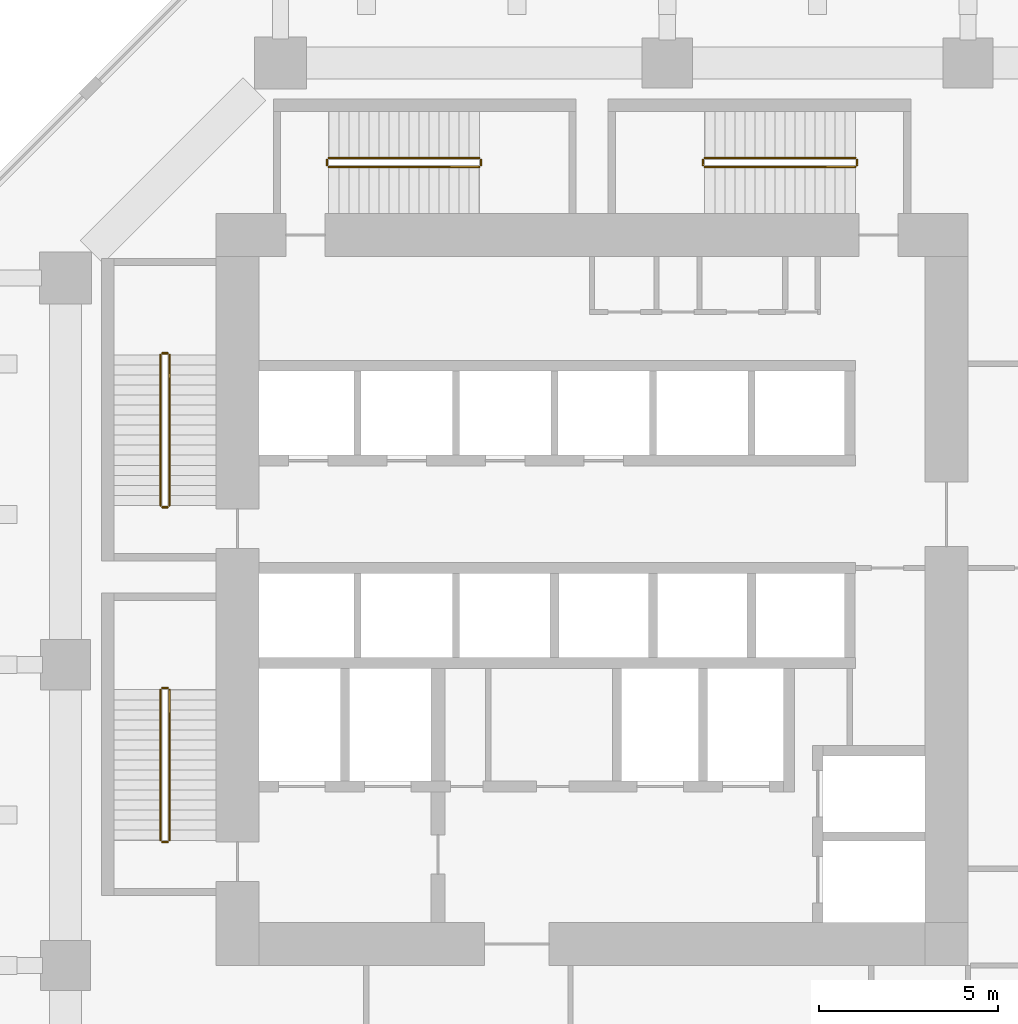
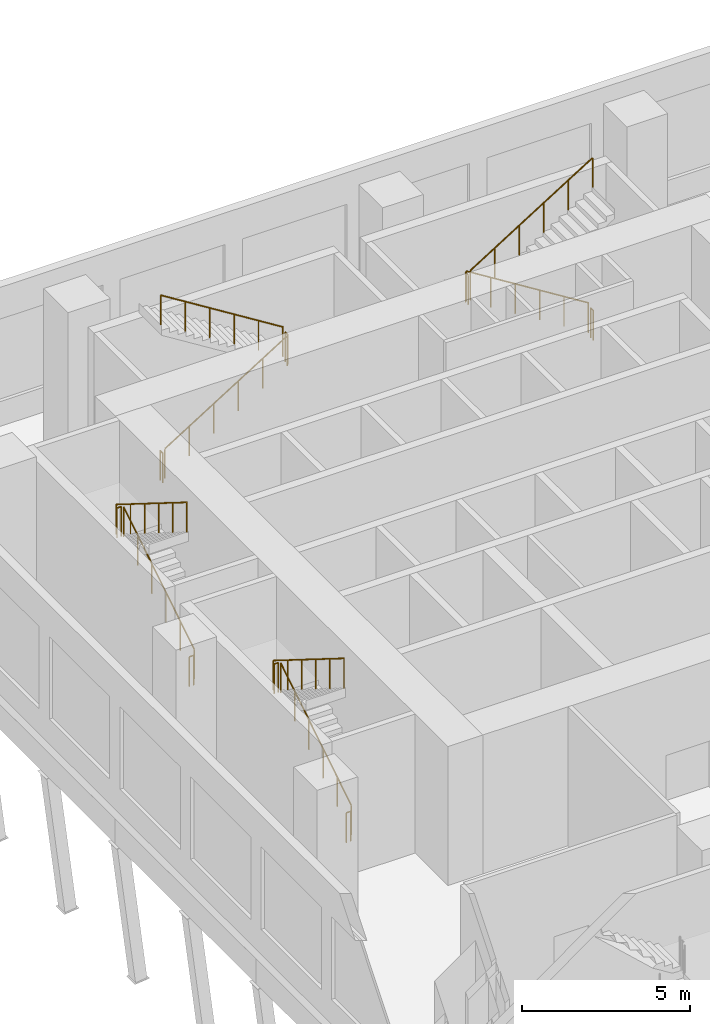
# One storey, part 21 of 24: 16 railings.
"""IFC4 building model written with IfcOpenShell, lengths in metres."""

import ifcopenshell
import ifcopenshell.guid

model = None  # the IFC model being written
_history = None  # IfcOwnerHistory: only IFC2X3 demands one
_inside = {}  # id of a spatial element -> (the spatial element, [elements in it])
_under = {}  # id of a project, library or spatial element -> (it, [spatial elements below it])
_declared = {}  # id of a project -> (the project, [libraries it declares])
_typed = {}  # id of a type object -> (the type object, [elements of that type])
_made_of = {}  # id of a material, layer set ... -> (it, [elements and type objects made of it])


def new_model(schema):
    """Start an empty IFC model of exactly this schema.

    Asked for "IFC4X3", IfcOpenShell would pick the latest addendum, in which some entities
    have other attributes; the version numbers below select the first issue.
    IFC2X3 requires an IfcOwnerHistory on every rooted entity: one is made here for all.
    """
    global model, _history
    if schema == "IFC4X3":
        model = ifcopenshell.file(schema_version=(4, 3, 0, 0))
    else:
        model = ifcopenshell.file(schema=schema)
    _inside.clear()
    _under.clear()
    _declared.clear()
    _typed.clear()
    _made_of.clear()
    _history = None
    if model.schema == "IFC2X3":
        org = make("IfcOrganization", Name="unknown")
        user = make(
            "IfcPersonAndOrganization",
            ThePerson=make("IfcPerson", FamilyName="unknown"),
            TheOrganization=org,
        )
        app = make(
            "IfcApplication",
            ApplicationDeveloper=org,
            Version="unknown",
            ApplicationFullName="unknown",
            ApplicationIdentifier="unknown",
        )
        _history = make(
            "IfcOwnerHistory",
            OwningUser=user,
            OwningApplication=app,
            ChangeAction="ADDED",
            CreationDate=0,
        )
    return model


def make(cls, **values):
    """One entity of the class cls with the attributes given. An attribute that is None is left unset."""
    return model.create_entity(
        cls, **{name: value for name, value in values.items() if value is not None}
    )


def rooted(cls, **values):
    """An entity with a GlobalId (a new one), such as an element, a storey or a relation."""
    return make(cls, GlobalId=ifcopenshell.guid.new(), OwnerHistory=_history, **values)


def si_unit(unit_type, name, prefix=None):
    """IfcSIUnit, for example si_unit("LENGTHUNIT", "METRE", prefix="MILLI")."""
    return make("IfcSIUnit", UnitType=unit_type, Prefix=prefix, Name=name)


def assignment(units):
    """IfcUnitAssignment: the units of a project."""
    return None if units is None else make("IfcUnitAssignment", Units=units)


def point(xyz):
    """IfcCartesianPoint."""
    return None if xyz is None else make("IfcCartesianPoint", Coordinates=xyz)


def direction(xyz):
    """IfcDirection."""
    return None if xyz is None else make("IfcDirection", DirectionRatios=xyz)


def frame(location, z_axis=None, x_axis=None):
    """IfcAxis2Placement3D, a coordinate frame: its origin and axes. An axis left out is left unset."""
    return make(
        "IfcAxis2Placement3D",
        Location=point(location),
        Axis=direction(z_axis),
        RefDirection=direction(x_axis),
    )


def frame_2d(location, x_axis=None):
    """IfcAxis2Placement2D, a coordinate frame in the plane: its origin and x axis."""
    return make(
        "IfcAxis2Placement2D", Location=point(location), RefDirection=direction(x_axis)
    )


def origin():
    """The frame at (0, 0, 0) with its axes left unset."""
    return frame((0.0, 0.0, 0.0))


def origin_2d():
    """The frame at (0, 0) in the plane with its x axis left unset."""
    return frame_2d((0.0, 0.0))


def place(relative_to, where):
    """IfcLocalPlacement: puts the frame where relative to a parent placement (None: the world)."""
    return make(
        "IfcLocalPlacement", PlacementRelTo=relative_to, RelativePlacement=where
    )


def context(
    kind, dimensions, precision=None, world=None, true_north=None, identifier=None
):
    """IfcGeometricRepresentationContext, for example the 3D "Model" context."""
    return make(
        "IfcGeometricRepresentationContext",
        ContextIdentifier=identifier,
        ContextType=kind,
        CoordinateSpaceDimension=dimensions,
        Precision=precision,
        WorldCoordinateSystem=world,
        TrueNorth=true_north,
    )


def subcontext(parent, identifier, kind, view, scale=None):
    """IfcGeometricRepresentationSubContext, for example "Body" below "Model"."""
    return make(
        "IfcGeometricRepresentationSubContext",
        ContextIdentifier=identifier,
        ContextType=kind,
        ParentContext=parent,
        TargetScale=scale,
        TargetView=view,
    )


def project(units=None, contexts=None):
    """IfcProject with its units and contexts."""
    return rooted(
        "IfcProject",
        Name="project",
        RepresentationContexts=contexts,
        UnitsInContext=assignment(units),
    )


def spatial(cls, under=None, at=None, **own):
    """A site, building, storey or space (cls), placed at a placement, below another one or the project."""
    s = rooted(cls, ObjectPlacement=at, **own)
    if under is not None:
        _under.setdefault(under.id(), (under, []))[1].append(s)
    return s


def profile(cls, at=None, kind="AREA", **sizes):
    """A parametric profile (cls). Its sizes go by their IFC names, for example OverallWidth=200.0."""
    return make(cls, ProfileType=kind, Position=at, **sizes)


def circle(**sizes):
    """IfcCircleProfileDef."""
    return profile("IfcCircleProfileDef", **sizes)


def extrude(swept, where, along, depth):
    """IfcExtrudedAreaSolid: the profile swept, set in the frame where, extruded along a direction by depth."""
    return make(
        "IfcExtrudedAreaSolid",
        SweptArea=swept,
        Position=where,
        ExtrudedDirection=direction(along),
        Depth=depth,
    )


def shape(context_of_items, identifier, shape_type, items):
    """IfcShapeRepresentation: the items that make up one representation, for example the "Body"."""
    return make(
        "IfcShapeRepresentation",
        ContextOfItems=context_of_items,
        RepresentationIdentifier=identifier,
        RepresentationType=shape_type,
        Items=items,
    )


def material(Name=None, Category=None):
    """IfcMaterial."""
    return make("IfcMaterial", Name=Name, Category=Category)


def made_of(thing, what):
    """Note that an element or type object is made of a material, layer set ...; save() writes the relation."""
    if what is not None:
        _made_of.setdefault(what.id(), (what, []))[1].append(thing)
    return thing


def type_object(cls, material=None, **own):
    """A type object (cls), such as IfcWallType, which elements share."""
    return made_of(rooted(cls, **own), material)


def element(
    cls,
    number,
    at=None,
    inside=None,
    cuts=None,
    type_object=None,
    material=None,
    context=None,
    identifier="Body",
    shape_type=None,
    held_by="IfcProductDefinitionShape",
    body=None,
    shapes=None,
    **own,
):
    """One element of the class cls, such as IfcWall. Its Tag is "e" and its number.

    at: its placement. inside: the storey or other place that contains it. cuts: it is an
    opening in that element (IfcRelVoidsElement). A single representation is given by context,
    identifier, shape_type and body (its items); several are given by shapes. held_by: the class
    of the entity that holds the representations. save() writes the other relations.
    """
    e = rooted(cls, Tag="e%d" % number, ObjectPlacement=at, **own)
    if body is not None:
        shapes = [shape(context, identifier, shape_type, body)]
    if shapes is not None:
        e.Representation = make(held_by, Representations=shapes)
    if inside is not None:
        _inside.setdefault(inside.id(), (inside, []))[1].append(e)
    if cuts is not None:
        rooted(
            "IfcRelVoidsElement", RelatingBuildingElement=cuts, RelatedOpeningElement=e
        )
    if type_object is not None:
        _typed.setdefault(type_object.id(), (type_object, []))[1].append(e)
    return made_of(e, material)


def aggregate(whole, parts):
    """IfcRelAggregates: a whole, such as a stair, and the parts it consists of."""
    return rooted("IfcRelAggregates", RelatingObject=whole, RelatedObjects=parts)


def save(model, path):
    """Write the relations noted so far, then the file.

    IfcRelAggregates (storeys below a building ...), IfcRelContainedInSpatialStructure (elements
    in a storey), IfcRelDefinesByType, IfcRelAssociatesMaterial and IfcRelDeclares: one each for
    every whole, place, type object, material and project.
    """
    for whole, parts in _under.values():
        aggregate(whole, parts)
    for where, things in _inside.values():
        rooted(
            "IfcRelContainedInSpatialStructure",
            RelatedElements=things,
            RelatingStructure=where,
        )
    for kind, things in _typed.values():
        rooted("IfcRelDefinesByType", RelatedObjects=things, RelatingType=kind)
    for what, things in _made_of.values():
        rooted("IfcRelAssociatesMaterial", RelatedObjects=things, RelatingMaterial=what)
    for by, libraries in _declared.values():
        rooted("IfcRelDeclares", RelatingContext=by, RelatedDefinitions=libraries)
    model.write(path)


model = new_model("IFC4")

# Units and contexts
model_context = context("Model", 3, precision=1e-05, world=origin(), true_north=direction((0.0, 1.0)))
body_context = subcontext(model_context, "Body", "Model", "MODEL_VIEW")
ifc_project = project(units=[si_unit("LENGTHUNIT", "METRE"), si_unit("AREAUNIT", "SQUARE_METRE"), si_unit("VOLUMEUNIT", "CUBIC_METRE"), si_unit("PLANEANGLEUNIT", "RADIAN"), si_unit("MASSUNIT", "GRAM", prefix="KILO")], contexts=[model_context])

# Site, building, storey
site_placement = place(None, origin())
site = spatial("IfcSite", under=ifc_project, at=site_placement, CompositionType="ELEMENT")
building_placement = place(site_placement, origin())
building = spatial("IfcBuilding", under=site, at=building_placement, Name="Kawkab Arch Medical Tower", CompositionType="ELEMENT")
storey_placement = place(building_placement, frame((0.0, 0.0, 18.199951171875)))
storey = spatial("IfcBuildingStorey", under=building, at=storey_placement, Name="L04", CompositionType="ELEMENT", Elevation=18.199951171875)

# Railings
ifc_material = material(Name="Stainless steel", Category="steel")
railing_type = type_object("IfcRailingType", Name="Stair guard 1100", PredefinedType="GUARDRAIL", material=ifc_material)
railing_1_placement = place(storey_placement, frame((2.89990234375, -12.35009765625, 0.175048828125)))
element("IfcRailing", 1, at=railing_1_placement, inside=storey, type_object=railing_type, Name="L04 ST1 stair guard 1", PredefinedType="GUARDRAIL", context=body_context, shape_type="SweptSolid", body=[
    extrude(circle(Radius=0.02392578125, at=origin_2d()), frame((0.0, 0.0, 1.076171875), z_axis=(0.0, 0.848009380541, 0.529981217134), x_axis=(-1.0, 0.0, 0.0)), (0.0, 0.0, 1.0), 4.953125),
    extrude(circle(Radius=0.02099609375, at=origin_2d()), origin(), (0.0, 0.0, 1.0), 1.052001953125),
    extrude(circle(Radius=0.02099609375, at=origin_2d()), frame((0.0, 0.840087890625, 0.52490234375)), (0.0, 0.0, 1.0), 1.052001953125),
    extrude(circle(Radius=0.02099609375, at=origin_2d()), frame((0.0, 1.68017578125, 1.050048828125)), (0.0, 0.0, 1.0), 1.052001953125),
    extrude(circle(Radius=0.02099609375, at=origin_2d()), frame((0.0, 2.52001953125, 1.574951171875)), (0.0, 0.0, 1.0), 1.052001953125),
    extrude(circle(Radius=0.02099609375, at=origin_2d()), frame((0.0, 3.360107421875, 2.10009765625)), (0.0, 0.0, 1.0), 1.052001953125),
    extrude(circle(Radius=0.02099609375, at=origin_2d()), frame((0.0, 4.2001953125, 2.625)), (0.0, 0.0, 1.0), 1.052001953125),
])
railing_2_placement = place(storey_placement, frame((2.85009765625, -8.10009765625, 2.800048828125)))
element("IfcRailing", 2, at=railing_2_placement, inside=storey, type_object=railing_type, Name="L04 ST1 stair guard 2", PredefinedType="GUARDRAIL", context=body_context, shape_type="SweptSolid", body=[
    extrude(circle(Radius=0.02392578125, at=origin_2d()), frame((0.0, 0.0, 1.076171875), z_axis=(-1.0, 0.0, 0.0), x_axis=(0.0, -1.0, 0.0)), (0.0, 0.0, 1.0), 0.150146484375),
    extrude(circle(Radius=0.02099609375, at=origin_2d()), origin(), (0.0, 0.0, 1.0), 1.052001953125),
    extrude(circle(Radius=0.02099609375, at=origin_2d()), frame((-0.150146484375, 0.0, 0.0)), (0.0, 0.0, 1.0), 1.052001953125),
])
railing_3_placement = place(storey_placement, frame((2.64990234375, -8.14990234375, 2.97509765625)))
element("IfcRailing", 3, at=railing_3_placement, inside=storey, type_object=railing_type, Name="L04 ST1 stair guard 3", PredefinedType="GUARDRAIL", context=body_context, shape_type="SweptSolid", body=[
    extrude(circle(Radius=0.02392578125, at=origin_2d()), frame((0.0, 0.0, 1.076171875), z_axis=(0.0, -0.848009380541, 0.529981217134), x_axis=(1.0, 0.0, 0.0)), (0.0, 0.0, 1.0), 4.953125),
    extrude(circle(Radius=0.02099609375, at=origin_2d()), origin(), (0.0, 0.0, 1.0), 1.052001953125),
    extrude(circle(Radius=0.02099609375, at=origin_2d()), frame((0.0, -0.840087890625, 0.52490234375)), (0.0, 0.0, 1.0), 1.052001953125),
    extrude(circle(Radius=0.02099609375, at=origin_2d()), frame((0.0, -1.68017578125, 1.050048828125)), (0.0, 0.0, 1.0), 1.052001953125),
    extrude(circle(Radius=0.02099609375, at=origin_2d()), frame((0.0, -2.52001953125, 1.574951171875)), (0.0, 0.0, 1.0), 1.052001953125),
    extrude(circle(Radius=0.02099609375, at=origin_2d()), frame((0.0, -3.360107421875, 2.10009765625)), (0.0, 0.0, 1.0), 1.052001953125),
    extrude(circle(Radius=0.02099609375, at=origin_2d()), frame((0.0, -4.2001953125, 2.625)), (0.0, 0.0, 1.0), 1.052001953125),
])
railing_4_placement = place(storey_placement, frame((2.85009765625, -12.39990234375, 0.0)))
element("IfcRailing", 4, at=railing_4_placement, inside=storey, type_object=railing_type, Name="L04 ST1 stair guard 4", PredefinedType="GUARDRAIL", context=body_context, shape_type="SweptSolid", body=[
    extrude(circle(Radius=0.02392578125, at=origin_2d()), frame((0.0, 0.0, 1.076171875), z_axis=(-1.0, 0.0, 0.0), x_axis=(0.0, -1.0, 0.0)), (0.0, 0.0, 1.0), 0.150146484375),
    extrude(circle(Radius=0.02099609375, at=origin_2d()), origin(), (0.0, 0.0, 1.0), 1.052001953125),
    extrude(circle(Radius=0.02099609375, at=origin_2d()), frame((-0.150146484375, 0.0, 0.0)), (0.0, 0.0, 1.0), 1.052001953125),
])
railing_5_placement = place(storey_placement, frame((2.89990234375, -21.699951171875, 0.175048828125)))
element("IfcRailing", 5, at=railing_5_placement, inside=storey, type_object=railing_type, Name="L04 ST2 stair guard 1", PredefinedType="GUARDRAIL", context=body_context, shape_type="SweptSolid", body=[
    extrude(circle(Radius=0.02392578125, at=origin_2d()), frame((0.0, 0.0, 1.076171875), z_axis=(0.0, 0.847995534698, 0.530003370869), x_axis=(-1.0, 0.0, 0.0)), (0.0, 0.0, 1.0), 4.952880859375),
    extrude(circle(Radius=0.02099609375, at=origin_2d()), origin(), (0.0, 0.0, 1.0), 1.052001953125),
    extrude(circle(Radius=0.02099609375, at=origin_2d()), frame((0.0, 0.840087890625, 0.52490234375)), (0.0, 0.0, 1.0), 1.052001953125),
    extrude(circle(Radius=0.02099609375, at=origin_2d()), frame((0.0, 1.679931640625, 1.050048828125)), (0.0, 0.0, 1.0), 1.052001953125),
    extrude(circle(Radius=0.02099609375, at=origin_2d()), frame((0.0, 2.52001953125, 1.574951171875)), (0.0, 0.0, 1.0), 1.052001953125),
    extrude(circle(Radius=0.02099609375, at=origin_2d()), frame((0.0, 3.35986328125, 2.10009765625)), (0.0, 0.0, 1.0), 1.052001953125),
    extrude(circle(Radius=0.02099609375, at=origin_2d()), frame((0.0, 4.199951171875, 2.625)), (0.0, 0.0, 1.0), 1.052001953125),
])
railing_6_placement = place(storey_placement, frame((2.85009765625, -17.449951171875, 2.800048828125)))
element("IfcRailing", 6, at=railing_6_placement, inside=storey, type_object=railing_type, Name="L04 ST2 stair guard 2", PredefinedType="GUARDRAIL", context=body_context, shape_type="SweptSolid", body=[
    extrude(circle(Radius=0.02392578125, at=origin_2d()), frame((0.0, 0.0, 1.076171875), z_axis=(-1.0, 0.0, 0.0), x_axis=(0.0, -1.0, 0.0)), (0.0, 0.0, 1.0), 0.150146484375),
    extrude(circle(Radius=0.02099609375, at=origin_2d()), origin(), (0.0, 0.0, 1.0), 1.052001953125),
    extrude(circle(Radius=0.02099609375, at=origin_2d()), frame((-0.150146484375, 0.0, 0.0)), (0.0, 0.0, 1.0), 1.052001953125),
])
railing_7_placement = place(storey_placement, frame((2.64990234375, -17.5, 2.97509765625)))
element("IfcRailing", 7, at=railing_7_placement, inside=storey, type_object=railing_type, Name="L04 ST2 stair guard 3", PredefinedType="GUARDRAIL", context=body_context, shape_type="SweptSolid", body=[
    extrude(circle(Radius=0.02392578125, at=origin_2d()), frame((0.0, 0.0, 1.076171875), z_axis=(0.0, -0.847995534698, 0.530003370869), x_axis=(1.0, 0.0, 0.0)), (0.0, 0.0, 1.0), 4.952880859375),
    extrude(circle(Radius=0.02099609375, at=origin_2d()), origin(), (0.0, 0.0, 1.0), 1.052001953125),
    extrude(circle(Radius=0.02099609375, at=origin_2d()), frame((0.0, -0.840087890625, 0.52490234375)), (0.0, 0.0, 1.0), 1.052001953125),
    extrude(circle(Radius=0.02099609375, at=origin_2d()), frame((0.0, -1.679931640625, 1.050048828125)), (0.0, 0.0, 1.0), 1.052001953125),
    extrude(circle(Radius=0.02099609375, at=origin_2d()), frame((0.0, -2.52001953125, 1.574951171875)), (0.0, 0.0, 1.0), 1.052001953125),
    extrude(circle(Radius=0.02099609375, at=origin_2d()), frame((0.0, -3.35986328125, 2.10009765625)), (0.0, 0.0, 1.0), 1.052001953125),
    extrude(circle(Radius=0.02099609375, at=origin_2d()), frame((0.0, -4.199951171875, 2.625)), (0.0, 0.0, 1.0), 1.052001953125),
])
railing_8_placement = place(storey_placement, frame((2.85009765625, -21.75, 0.0)))
element("IfcRailing", 8, at=railing_8_placement, inside=storey, type_object=railing_type, Name="L04 ST2 stair guard 4", PredefinedType="GUARDRAIL", context=body_context, shape_type="SweptSolid", body=[
    extrude(circle(Radius=0.02392578125, at=origin_2d()), frame((0.0, 0.0, 1.076171875), z_axis=(-1.0, 0.0, 0.0), x_axis=(0.0, -1.0, 0.0)), (0.0, 0.0, 1.0), 0.150146484375),
    extrude(circle(Radius=0.02099609375, at=origin_2d()), origin(), (0.0, 0.0, 1.0), 1.052001953125),
    extrude(circle(Radius=0.02099609375, at=origin_2d()), frame((-0.150146484375, 0.0, 0.0)), (0.0, 0.0, 1.0), 1.052001953125),
])
railing_9_placement = place(storey_placement, frame((7.35009765625, -2.89990234375, 0.175048828125)))
element("IfcRailing", 9, at=railing_9_placement, inside=storey, type_object=railing_type, Name="L04 ST3 stair guard 1", PredefinedType="GUARDRAIL", context=body_context, shape_type="SweptSolid", body=[
    extrude(circle(Radius=0.02392578125, at=origin_2d()), frame((0.0, 0.0, 1.076171875), z_axis=(0.847995534698, 0.0, 0.530003370869), x_axis=(0.0, 1.0, 0.0)), (0.0, 0.0, 1.0), 4.952880859375),
    extrude(circle(Radius=0.02099609375, at=origin_2d()), origin(), (0.0, 0.0, 1.0), 1.052001953125),
    extrude(circle(Radius=0.02099609375, at=origin_2d()), frame((0.840087890625, 0.0, 0.52490234375)), (0.0, 0.0, 1.0), 1.052001953125),
    extrude(circle(Radius=0.02099609375, at=origin_2d()), frame((1.679931640625, 0.0, 1.050048828125)), (0.0, 0.0, 1.0), 1.052001953125),
    extrude(circle(Radius=0.02099609375, at=origin_2d()), frame((2.52001953125, 0.0, 1.574951171875)), (0.0, 0.0, 1.0), 1.052001953125),
    extrude(circle(Radius=0.02099609375, at=origin_2d()), frame((3.35986328125, 0.0, 2.10009765625)), (0.0, 0.0, 1.0), 1.052001953125),
    extrude(circle(Radius=0.02099609375, at=origin_2d()), frame((4.199951171875, 0.0, 2.625)), (0.0, 0.0, 1.0), 1.052001953125),
])
railing_10_placement = place(storey_placement, frame((11.60009765625, -2.85009765625, 2.800048828125)))
element("IfcRailing", 10, at=railing_10_placement, inside=storey, type_object=railing_type, Name="L04 ST3 stair guard 2", PredefinedType="GUARDRAIL", context=body_context, shape_type="SweptSolid", body=[
    extrude(circle(Radius=0.02392578125, at=origin_2d()), frame((0.0, 0.0, 1.076171875), z_axis=(0.0, 1.0, 0.0), x_axis=(-1.0, 0.0, 0.0)), (0.0, 0.0, 1.0), 0.150146484375),
    extrude(circle(Radius=0.02099609375, at=origin_2d()), origin(), (0.0, 0.0, 1.0), 1.052001953125),
    extrude(circle(Radius=0.02099609375, at=origin_2d()), frame((0.0, 0.150146484375, 0.0)), (0.0, 0.0, 1.0), 1.052001953125),
])
railing_11_placement = place(storey_placement, frame((11.550048828125, -2.64990234375, 2.97509765625)))
element("IfcRailing", 11, at=railing_11_placement, inside=storey, type_object=railing_type, Name="L04 ST3 stair guard 3", PredefinedType="GUARDRAIL", context=body_context, shape_type="SweptSolid", body=[
    extrude(circle(Radius=0.02392578125, at=origin_2d()), frame((0.0, 0.0, 1.076171875), z_axis=(-0.847995534698, 0.0, 0.530003370869), x_axis=(0.0, -1.0, 0.0)), (0.0, 0.0, 1.0), 4.952880859375),
    extrude(circle(Radius=0.02099609375, at=origin_2d()), origin(), (0.0, 0.0, 1.0), 1.052001953125),
    extrude(circle(Radius=0.02099609375, at=origin_2d()), frame((-0.840087890625, 0.0, 0.52490234375)), (0.0, 0.0, 1.0), 1.052001953125),
    extrude(circle(Radius=0.02099609375, at=origin_2d()), frame((-1.679931640625, 0.0, 1.050048828125)), (0.0, 0.0, 1.0), 1.052001953125),
    extrude(circle(Radius=0.02099609375, at=origin_2d()), frame((-2.52001953125, 0.0, 1.574951171875)), (0.0, 0.0, 1.0), 1.052001953125),
    extrude(circle(Radius=0.02099609375, at=origin_2d()), frame((-3.35986328125, 0.0, 2.10009765625)), (0.0, 0.0, 1.0), 1.052001953125),
    extrude(circle(Radius=0.02099609375, at=origin_2d()), frame((-4.199951171875, 0.0, 2.625)), (0.0, 0.0, 1.0), 1.052001953125),
])
railing_12_placement = place(storey_placement, frame((7.300048828125, -2.85009765625, 0.0)))
element("IfcRailing", 12, at=railing_12_placement, inside=storey, type_object=railing_type, Name="L04 ST3 stair guard 4", PredefinedType="GUARDRAIL", context=body_context, shape_type="SweptSolid", body=[
    extrude(circle(Radius=0.02392578125, at=origin_2d()), frame((0.0, 0.0, 1.076171875), z_axis=(0.0, 1.0, 0.0), x_axis=(-1.0, 0.0, 0.0)), (0.0, 0.0, 1.0), 0.150146484375),
    extrude(circle(Radius=0.02099609375, at=origin_2d()), origin(), (0.0, 0.0, 1.0), 1.052001953125),
    extrude(circle(Radius=0.02099609375, at=origin_2d()), frame((0.0, 0.150146484375, 0.0)), (0.0, 0.0, 1.0), 1.052001953125),
])
railing_13_placement = place(storey_placement, frame((22.050048828125, -2.64990234375, 0.175048828125)))
element("IfcRailing", 13, at=railing_13_placement, inside=storey, type_object=railing_type, Name="L04 ST4 stair guard 1", PredefinedType="GUARDRAIL", context=body_context, shape_type="SweptSolid", body=[
    extrude(circle(Radius=0.02392578125, at=origin_2d()), frame((0.0, 0.0, 1.076171875), z_axis=(-0.847995534698, 0.0, 0.530003370869), x_axis=(0.0, -1.0, 0.0)), (0.0, 0.0, 1.0), 4.952880859375),
    extrude(circle(Radius=0.02099609375, at=origin_2d()), origin(), (0.0, 0.0, 1.0), 1.052001953125),
    extrude(circle(Radius=0.02099609375, at=origin_2d()), frame((-0.840087890625, 0.0, 0.52490234375)), (0.0, 0.0, 1.0), 1.052001953125),
    extrude(circle(Radius=0.02099609375, at=origin_2d()), frame((-1.679931640625, 0.0, 1.050048828125)), (0.0, 0.0, 1.0), 1.052001953125),
    extrude(circle(Radius=0.02099609375, at=origin_2d()), frame((-2.52001953125, 0.0, 1.574951171875)), (0.0, 0.0, 1.0), 1.052001953125),
    extrude(circle(Radius=0.02099609375, at=origin_2d()), frame((-3.35986328125, 0.0, 2.10009765625)), (0.0, 0.0, 1.0), 1.052001953125),
    extrude(circle(Radius=0.02099609375, at=origin_2d()), frame((-4.199951171875, 0.0, 2.625)), (0.0, 0.0, 1.0), 1.052001953125),
])
railing_14_placement = place(storey_placement, frame((17.800048828125, -2.699951171875, 2.800048828125)))
element("IfcRailing", 14, at=railing_14_placement, inside=storey, type_object=railing_type, Name="L04 ST4 stair guard 2", PredefinedType="GUARDRAIL", context=body_context, shape_type="SweptSolid", body=[
    extrude(circle(Radius=0.02392578125, at=origin_2d()), frame((0.0, 0.0, 1.076171875), z_axis=(0.0, -1.0, 0.0), x_axis=(1.0, 0.0, 0.0)), (0.0, 0.0, 1.0), 0.150146484375),
    extrude(circle(Radius=0.02099609375, at=origin_2d()), origin(), (0.0, 0.0, 1.0), 1.052001953125),
    extrude(circle(Radius=0.02099609375, at=origin_2d()), frame((0.0, -0.150146484375, 0.0)), (0.0, 0.0, 1.0), 1.052001953125),
])
railing_15_placement = place(storey_placement, frame((17.85009765625, -2.89990234375, 2.97509765625)))
element("IfcRailing", 15, at=railing_15_placement, inside=storey, type_object=railing_type, Name="L04 ST4 stair guard 3", PredefinedType="GUARDRAIL", context=body_context, shape_type="SweptSolid", body=[
    extrude(circle(Radius=0.02392578125, at=origin_2d()), frame((0.0, 0.0, 1.076171875), z_axis=(0.847995534698, 0.0, 0.530003370869), x_axis=(0.0, 1.0, 0.0)), (0.0, 0.0, 1.0), 4.952880859375),
    extrude(circle(Radius=0.02099609375, at=origin_2d()), origin(), (0.0, 0.0, 1.0), 1.052001953125),
    extrude(circle(Radius=0.02099609375, at=origin_2d()), frame((0.840087890625, 0.0, 0.52490234375)), (0.0, 0.0, 1.0), 1.052001953125),
    extrude(circle(Radius=0.02099609375, at=origin_2d()), frame((1.679931640625, 0.0, 1.050048828125)), (0.0, 0.0, 1.0), 1.052001953125),
    extrude(circle(Radius=0.02099609375, at=origin_2d()), frame((2.52001953125, 0.0, 1.574951171875)), (0.0, 0.0, 1.0), 1.052001953125),
    extrude(circle(Radius=0.02099609375, at=origin_2d()), frame((3.35986328125, 0.0, 2.10009765625)), (0.0, 0.0, 1.0), 1.052001953125),
    extrude(circle(Radius=0.02099609375, at=origin_2d()), frame((4.199951171875, 0.0, 2.625)), (0.0, 0.0, 1.0), 1.052001953125),
])
railing_16_placement = place(storey_placement, frame((22.10009765625, -2.699951171875, 0.0)))
element("IfcRailing", 16, at=railing_16_placement, inside=storey, type_object=railing_type, Name="L04 ST4 stair guard 4", PredefinedType="GUARDRAIL", context=body_context, shape_type="SweptSolid", body=[
    extrude(circle(Radius=0.02392578125, at=origin_2d()), frame((0.0, 0.0, 1.076171875), z_axis=(0.0, -1.0, 0.0), x_axis=(1.0, 0.0, 0.0)), (0.0, 0.0, 1.0), 0.150146484375),
    extrude(circle(Radius=0.02099609375, at=origin_2d()), origin(), (0.0, 0.0, 1.0), 1.052001953125),
    extrude(circle(Radius=0.02099609375, at=origin_2d()), frame((0.0, -0.150146484375, 0.0)), (0.0, 0.0, 1.0), 1.052001953125),
])

save(model, "model.ifc")
